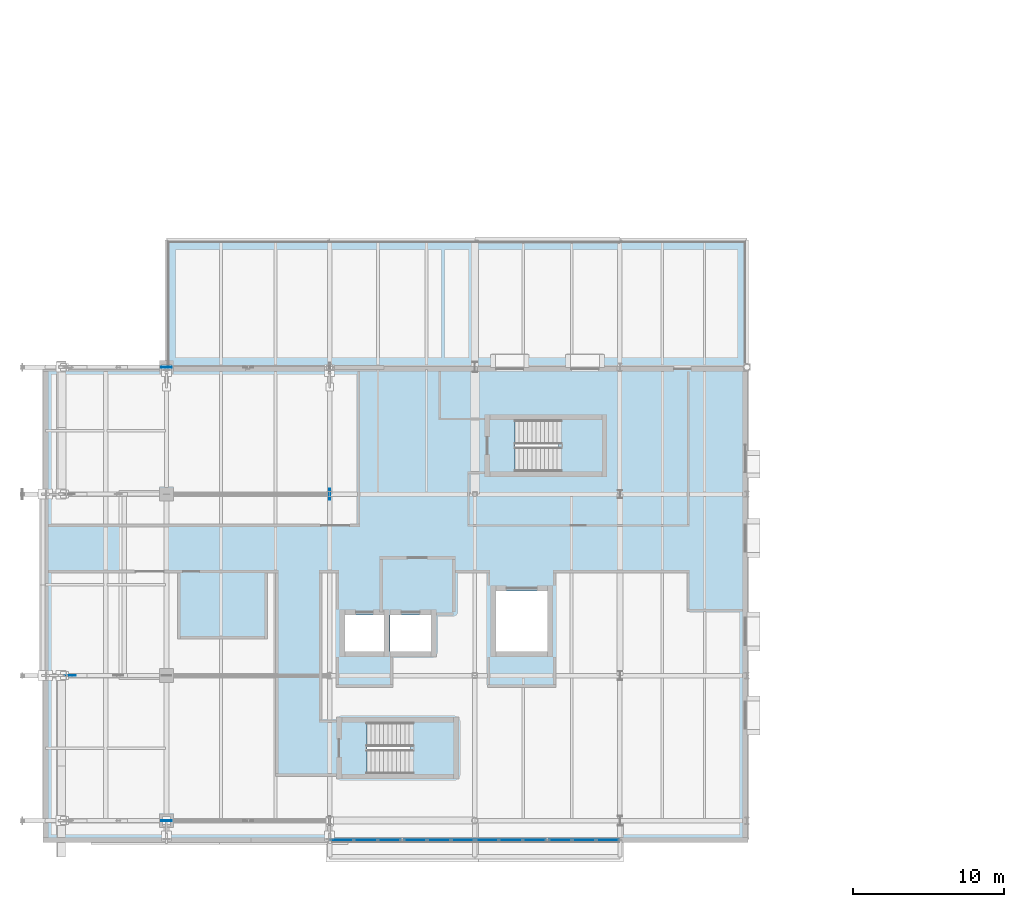
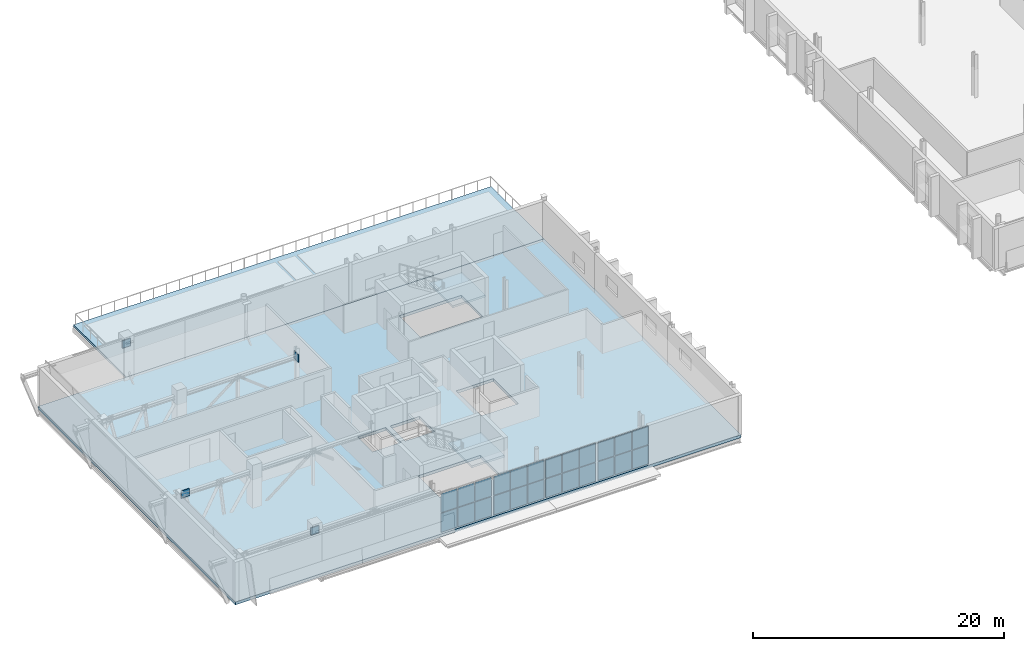
# One storey, part 29 of 57: 28 plates, 4 slabs, 6 elements without a shape of their own.
"""IFC4 building model written with IfcOpenShell, lengths in metres."""

from ifc_helpers import new_model, si_unit, direction, frame, origin, origin_2d, place, context, subcontext, project, spatial, polyline, rectangle, outline, extrude, material, layer, layer_set, type_object, element, aggregate, save


model = new_model("IFC4")

# Units and contexts
model_context = context("Model", 3, precision=1e-05, world=origin(), true_north=direction((0.0, 1.0)))
body_context = subcontext(model_context, "Body", "Model", "MODEL_VIEW")
ifc_project = project(units=[si_unit("LENGTHUNIT", "METRE"), si_unit("AREAUNIT", "SQUARE_METRE"), si_unit("VOLUMEUNIT", "CUBIC_METRE"), si_unit("PLANEANGLEUNIT", "RADIAN"), si_unit("MASSUNIT", "GRAM", prefix="KILO")], contexts=[model_context])

# Site, building, storey
site_placement = place(None, origin())
site = spatial("IfcSite", under=ifc_project, at=site_placement, CompositionType="ELEMENT")
building_placement = place(site_placement, origin())
building = spatial("IfcBuilding", under=site, at=building_placement, Name="Zereglee Splitstone Museum", CompositionType="ELEMENT")
storey_placement = place(building_placement, frame((0.0, 0.0, 17.10009765625)))
storey = spatial("IfcBuildingStorey", under=building, at=storey_placement, Name="L03", CompositionType="ELEMENT", Elevation=17.10009765625)

# Curtain wall, plates
ifc_material_1 = material(Name="Triple-glazed low-E argon glass and bronze-anodised aluminium", Category="aluminium")
ifc_layer_1 = layer(ifc_material_1, 0.219970703125)
ifc_layer_set_1 = layer_set([ifc_layer_1], Name="Triple-glazed low-E argon glass and bronze-anodised aluminium")
curtain_wall_type_1 = type_object("IfcCurtainWallType", Name="CW-0476-390", PredefinedType="USERDEFINED", material=ifc_layer_set_1)
curtain_wall_1_placement = place(storey_placement, origin())
curtain_wall_1 = element("IfcCurtainWall", 1, at=curtain_wall_1_placement, inside=storey, type_object=curtain_wall_type_1, Name="Glazed Curtain Wall CW-0476-390 (L03)", ObjectType="GLAZED CURTAIN WALL", PredefinedType="USERDEFINED")
ifc_material_2 = material(Name="Triple low-e argon insulated safety glass", Category="glass")
ifc_layer_2 = layer(ifc_material_2, 0.035888671875)
ifc_layer_set_2 = layer_set([ifc_layer_2], Name="Triple low-e argon insulated safety glass")
plate_type_1 = type_object("IfcPlateType", Name="CWP-01", PredefinedType="CURTAIN_PANEL", material=ifc_layer_set_2)
plate_1_placement = place(storey_placement, frame((21.212158203125, -1.280029296875, 0.074951171875), z_axis=(0.0, 0.0, 1.0), x_axis=(1.0, 0.0, 0.0)))
plate_1 = element("IfcPlate", 2, at=plate_1_placement, type_object=plate_type_1, Name="CW-0476-390 panel 1.1", PredefinedType="CURTAIN_PANEL", context=body_context, shape_type="SweptSolid", body=[
    extrude(rectangle(XDim=1.47412109375, YDim=0.035888671875, at=origin_2d()), origin(), (0.0, 0.0, 1.0), 1.83740234375),
])
plate_2_placement = place(storey_placement, frame((21.212158203125, -1.280029296875, 1.987548828125), z_axis=(0.0, 0.0, 1.0), x_axis=(1.0, 0.0, 0.0)))
plate_2 = element("IfcPlate", 3, at=plate_2_placement, type_object=plate_type_1, Name="CW-0476-390 panel 1.2", PredefinedType="CURTAIN_PANEL", context=body_context, shape_type="SweptSolid", body=[
    extrude(rectangle(XDim=1.47412109375, YDim=0.035888671875, at=origin_2d()), origin(), (0.0, 0.0, 1.0), 1.83740234375),
])
plate_3_placement = place(storey_placement, frame((22.780029296875, -1.280029296875, 0.074951171875), z_axis=(0.0, 0.0, 1.0), x_axis=(1.0, 0.0, 0.0)))
plate_3 = element("IfcPlate", 4, at=plate_3_placement, type_object=plate_type_1, Name="CW-0476-390 panel 2.1", PredefinedType="CURTAIN_PANEL", context=body_context, shape_type="SweptSolid", body=[
    extrude(rectangle(XDim=1.51171875, YDim=0.035888671875, at=origin_2d()), origin(), (0.0, 0.0, 1.0), 1.83740234375),
])
plate_4_placement = place(storey_placement, frame((22.780029296875, -1.280029296875, 1.987548828125), z_axis=(0.0, 0.0, 1.0), x_axis=(1.0, 0.0, 0.0)))
plate_4 = element("IfcPlate", 5, at=plate_4_placement, type_object=plate_type_1, Name="CW-0476-390 panel 2.2", PredefinedType="CURTAIN_PANEL", context=body_context, shape_type="SweptSolid", body=[
    extrude(rectangle(XDim=1.51171875, YDim=0.035888671875, at=origin_2d()), origin(), (0.0, 0.0, 1.0), 1.83740234375),
])
plate_5_placement = place(storey_placement, frame((24.347900390625, -1.280029296875, 0.074951171875), z_axis=(0.0, 0.0, 1.0), x_axis=(1.0, 0.0, 0.0)))
plate_5 = element("IfcPlate", 6, at=plate_5_placement, type_object=plate_type_1, Name="CW-0476-390 panel 3.1", PredefinedType="CURTAIN_PANEL", context=body_context, shape_type="SweptSolid", body=[
    extrude(rectangle(XDim=1.47412109375, YDim=0.035888671875, at=origin_2d()), origin(), (0.0, 0.0, 1.0), 1.83740234375),
])
plate_6_placement = place(storey_placement, frame((24.347900390625, -1.280029296875, 1.987548828125), z_axis=(0.0, 0.0, 1.0), x_axis=(1.0, 0.0, 0.0)))
plate_6 = element("IfcPlate", 7, at=plate_6_placement, type_object=plate_type_1, Name="CW-0476-390 panel 3.2", PredefinedType="CURTAIN_PANEL", context=body_context, shape_type="SweptSolid", body=[
    extrude(rectangle(XDim=1.47412109375, YDim=0.035888671875, at=origin_2d()), origin(), (0.0, 0.0, 1.0), 1.83740234375),
])
aggregate(curtain_wall_1, [plate_1, plate_2, plate_3, plate_4, plate_5, plate_6])

ifc_layer_3 = layer(ifc_material_1, 0.219970703125)
ifc_layer_set_3 = layer_set([ifc_layer_3], Name="Triple-glazed low-E argon glass and bronze-anodised aluminium")
curtain_wall_type_2 = type_object("IfcCurtainWallType", Name="CW-0476-388", PredefinedType="USERDEFINED", material=ifc_layer_set_3)
curtain_wall_2_placement = place(storey_placement, origin())
curtain_wall_2 = element("IfcCurtainWall", 8, at=curtain_wall_2_placement, inside=storey, type_object=curtain_wall_type_2, Name="Glazed Curtain Wall CW-0476-388 (L03)", ObjectType="GLAZED CURTAIN WALL", PredefinedType="USERDEFINED")
plate_7_placement = place(storey_placement, frame((26.052001953125, -1.280029296875, 0.0751953125), z_axis=(0.0, 0.0, 1.0), x_axis=(1.0, 0.0, 0.0)))
plate_7 = element("IfcPlate", 9, at=plate_7_placement, type_object=plate_type_1, Name="CW-0476-388 panel 1.1", PredefinedType="CURTAIN_PANEL", context=body_context, shape_type="SweptSolid", body=[
    extrude(rectangle(XDim=1.47412109375, YDim=0.035888671875, at=origin_2d()), origin(), (0.0, 0.0, 1.0), 1.827392578125),
])
plate_8_placement = place(storey_placement, frame((26.052001953125, -1.280029296875, 1.9775390625), z_axis=(0.0, 0.0, 1.0), x_axis=(1.0, 0.0, 0.0)))
plate_8 = element("IfcPlate", 10, at=plate_8_placement, type_object=plate_type_1, Name="CW-0476-388 panel 1.2", PredefinedType="CURTAIN_PANEL", context=body_context, shape_type="SweptSolid", body=[
    extrude(rectangle(XDim=1.47412109375, YDim=0.035888671875, at=origin_2d()), origin(), (0.0, 0.0, 1.0), 1.827392578125),
])
plate_9_placement = place(storey_placement, frame((27.6201171875, -1.280029296875, 0.0751953125), z_axis=(0.0, 0.0, 1.0), x_axis=(1.0, 0.0, 0.0)))
plate_9 = element("IfcPlate", 11, at=plate_9_placement, type_object=plate_type_1, Name="CW-0476-388 panel 2.1", PredefinedType="CURTAIN_PANEL", context=body_context, shape_type="SweptSolid", body=[
    extrude(rectangle(XDim=1.51171875, YDim=0.035888671875, at=origin_2d()), origin(), (0.0, 0.0, 1.0), 1.827392578125),
])
plate_10_placement = place(storey_placement, frame((27.6201171875, -1.280029296875, 1.9775390625), z_axis=(0.0, 0.0, 1.0), x_axis=(1.0, 0.0, 0.0)))
plate_10 = element("IfcPlate", 12, at=plate_10_placement, type_object=plate_type_1, Name="CW-0476-388 panel 2.2", PredefinedType="CURTAIN_PANEL", context=body_context, shape_type="SweptSolid", body=[
    extrude(rectangle(XDim=1.51171875, YDim=0.035888671875, at=origin_2d()), origin(), (0.0, 0.0, 1.0), 1.827392578125),
])
plate_11_placement = place(storey_placement, frame((29.18798828125, -1.280029296875, 0.0751953125), z_axis=(0.0, 0.0, 1.0), x_axis=(1.0, 0.0, 0.0)))
plate_11 = element("IfcPlate", 13, at=plate_11_placement, type_object=plate_type_1, Name="CW-0476-388 panel 3.1", PredefinedType="CURTAIN_PANEL", context=body_context, shape_type="SweptSolid", body=[
    extrude(rectangle(XDim=1.47412109375, YDim=0.035888671875, at=origin_2d()), origin(), (0.0, 0.0, 1.0), 1.827392578125),
])
plate_12_placement = place(storey_placement, frame((29.18798828125, -1.280029296875, 1.9775390625), z_axis=(0.0, 0.0, 1.0), x_axis=(1.0, 0.0, 0.0)))
plate_12 = element("IfcPlate", 14, at=plate_12_placement, type_object=plate_type_1, Name="CW-0476-388 panel 3.2", PredefinedType="CURTAIN_PANEL", context=body_context, shape_type="SweptSolid", body=[
    extrude(rectangle(XDim=1.47412109375, YDim=0.035888671875, at=origin_2d()), origin(), (0.0, 0.0, 1.0), 1.827392578125),
])
aggregate(curtain_wall_2, [plate_7, plate_8, plate_9, plate_10, plate_11, plate_12])

ifc_layer_4 = layer(ifc_material_1, 0.219970703125)
ifc_layer_set_4 = layer_set([ifc_layer_4], Name="Triple-glazed low-E argon glass and bronze-anodised aluminium")
curtain_wall_type_3 = type_object("IfcCurtainWallType", Name="CW-0476-384", PredefinedType="USERDEFINED", material=ifc_layer_set_4)
curtain_wall_3_placement = place(storey_placement, origin())
curtain_wall_3 = element("IfcCurtainWall", 15, at=curtain_wall_3_placement, inside=storey, type_object=curtain_wall_type_3, Name="Glazed Curtain Wall CW-0476-384 (L03)", ObjectType="GLAZED CURTAIN WALL", PredefinedType="USERDEFINED")
plate_13_placement = place(storey_placement, frame((30.81201171875, -1.280029296875, 0.074951171875), z_axis=(0.0, 0.0, 1.0), x_axis=(1.0, 0.0, 0.0)))
plate_13 = element("IfcPlate", 16, at=plate_13_placement, type_object=plate_type_1, Name="CW-0476-384 panel 1.1", PredefinedType="CURTAIN_PANEL", context=body_context, shape_type="SweptSolid", body=[
    extrude(rectangle(XDim=1.47412109375, YDim=0.035888671875, at=origin_2d()), origin(), (0.0, 0.0, 1.0), 1.8076171875),
])
plate_14_placement = place(storey_placement, frame((30.81201171875, -1.280029296875, 1.957275390625), z_axis=(0.0, 0.0, 1.0), x_axis=(1.0, 0.0, 0.0)))
plate_14 = element("IfcPlate", 17, at=plate_14_placement, type_object=plate_type_1, Name="CW-0476-384 panel 1.2", PredefinedType="CURTAIN_PANEL", context=body_context, shape_type="SweptSolid", body=[
    extrude(rectangle(XDim=1.47412109375, YDim=0.035888671875, at=origin_2d()), origin(), (0.0, 0.0, 1.0), 1.8076171875),
])
plate_15_placement = place(storey_placement, frame((32.3798828125, -1.280029296875, 0.074951171875), z_axis=(0.0, 0.0, 1.0), x_axis=(1.0, 0.0, 0.0)))
plate_15 = element("IfcPlate", 18, at=plate_15_placement, type_object=plate_type_1, Name="CW-0476-384 panel 2.1", PredefinedType="CURTAIN_PANEL", context=body_context, shape_type="SweptSolid", body=[
    extrude(rectangle(XDim=1.51171875, YDim=0.035888671875, at=origin_2d()), origin(), (0.0, 0.0, 1.0), 1.8076171875),
])
plate_16_placement = place(storey_placement, frame((32.3798828125, -1.280029296875, 1.957275390625), z_axis=(0.0, 0.0, 1.0), x_axis=(1.0, 0.0, 0.0)))
plate_16 = element("IfcPlate", 19, at=plate_16_placement, type_object=plate_type_1, Name="CW-0476-384 panel 2.2", PredefinedType="CURTAIN_PANEL", context=body_context, shape_type="SweptSolid", body=[
    extrude(rectangle(XDim=1.51171875, YDim=0.035888671875, at=origin_2d()), origin(), (0.0, 0.0, 1.0), 1.8076171875),
])
plate_17_placement = place(storey_placement, frame((33.947998046875, -1.280029296875, 0.074951171875), z_axis=(0.0, 0.0, 1.0), x_axis=(1.0, 0.0, 0.0)))
plate_17 = element("IfcPlate", 20, at=plate_17_placement, type_object=plate_type_1, Name="CW-0476-384 panel 3.1", PredefinedType="CURTAIN_PANEL", context=body_context, shape_type="SweptSolid", body=[
    extrude(rectangle(XDim=1.47412109375, YDim=0.035888671875, at=origin_2d()), origin(), (0.0, 0.0, 1.0), 1.8076171875),
])
plate_18_placement = place(storey_placement, frame((33.947998046875, -1.280029296875, 1.957275390625), z_axis=(0.0, 0.0, 1.0), x_axis=(1.0, 0.0, 0.0)))
plate_18 = element("IfcPlate", 21, at=plate_18_placement, type_object=plate_type_1, Name="CW-0476-384 panel 3.2", PredefinedType="CURTAIN_PANEL", context=body_context, shape_type="SweptSolid", body=[
    extrude(rectangle(XDim=1.47412109375, YDim=0.035888671875, at=origin_2d()), origin(), (0.0, 0.0, 1.0), 1.8076171875),
])
aggregate(curtain_wall_3, [plate_13, plate_14, plate_15, plate_16, plate_17, plate_18])

ifc_layer_5 = layer(ifc_material_1, 0.219970703125)
ifc_layer_set_5 = layer_set([ifc_layer_5], Name="Triple-glazed low-E argon glass and bronze-anodised aluminium")
curtain_wall_type_4 = type_object("IfcCurtainWallType", Name="CW-0476-382", PredefinedType="USERDEFINED", material=ifc_layer_set_5)
curtain_wall_4_placement = place(storey_placement, origin())
curtain_wall_4 = element("IfcCurtainWall", 22, at=curtain_wall_4_placement, inside=storey, type_object=curtain_wall_type_4, Name="Glazed Curtain Wall CW-0476-382 (L03)", ObjectType="GLAZED CURTAIN WALL", PredefinedType="USERDEFINED")
plate_19_placement = place(storey_placement, frame((35.652099609375, -1.280029296875, 0.07470703125), z_axis=(0.0, 0.0, 1.0), x_axis=(1.0, 0.0, 0.0)))
plate_19 = element("IfcPlate", 23, at=plate_19_placement, type_object=plate_type_1, Name="CW-0476-382 panel 1.1", PredefinedType="CURTAIN_PANEL", context=body_context, shape_type="SweptSolid", body=[
    extrude(rectangle(XDim=1.47412109375, YDim=0.035888671875, at=origin_2d()), origin(), (0.0, 0.0, 1.0), 1.797607421875),
])
plate_20_placement = place(storey_placement, frame((35.652099609375, -1.280029296875, 1.947265625), z_axis=(0.0, 0.0, 1.0), x_axis=(1.0, 0.0, 0.0)))
plate_20 = element("IfcPlate", 24, at=plate_20_placement, type_object=plate_type_1, Name="CW-0476-382 panel 1.2", PredefinedType="CURTAIN_PANEL", context=body_context, shape_type="SweptSolid", body=[
    extrude(rectangle(XDim=1.47412109375, YDim=0.035888671875, at=origin_2d()), origin(), (0.0, 0.0, 1.0), 1.797607421875),
])
plate_21_placement = place(storey_placement, frame((37.219970703125, -1.280029296875, 0.07470703125), z_axis=(0.0, 0.0, 1.0), x_axis=(1.0, 0.0, 0.0)))
plate_21 = element("IfcPlate", 25, at=plate_21_placement, type_object=plate_type_1, Name="CW-0476-382 panel 2.1", PredefinedType="CURTAIN_PANEL", context=body_context, shape_type="SweptSolid", body=[
    extrude(rectangle(XDim=1.51171875, YDim=0.035888671875, at=origin_2d()), origin(), (0.0, 0.0, 1.0), 1.797607421875),
])
plate_22_placement = place(storey_placement, frame((37.219970703125, -1.280029296875, 1.947265625), z_axis=(0.0, 0.0, 1.0), x_axis=(1.0, 0.0, 0.0)))
plate_22 = element("IfcPlate", 26, at=plate_22_placement, type_object=plate_type_1, Name="CW-0476-382 panel 2.2", PredefinedType="CURTAIN_PANEL", context=body_context, shape_type="SweptSolid", body=[
    extrude(rectangle(XDim=1.51171875, YDim=0.035888671875, at=origin_2d()), origin(), (0.0, 0.0, 1.0), 1.797607421875),
])
plate_23_placement = place(storey_placement, frame((38.787841796875, -1.280029296875, 0.07470703125), z_axis=(0.0, 0.0, 1.0), x_axis=(1.0, 0.0, 0.0)))
plate_23 = element("IfcPlate", 27, at=plate_23_placement, type_object=plate_type_1, Name="CW-0476-382 panel 3.1", PredefinedType="CURTAIN_PANEL", context=body_context, shape_type="SweptSolid", body=[
    extrude(rectangle(XDim=1.47412109375, YDim=0.035888671875, at=origin_2d()), origin(), (0.0, 0.0, 1.0), 1.797607421875),
])
plate_24_placement = place(storey_placement, frame((38.787841796875, -1.280029296875, 1.947265625), z_axis=(0.0, 0.0, 1.0), x_axis=(1.0, 0.0, 0.0)))
plate_24 = element("IfcPlate", 28, at=plate_24_placement, type_object=plate_type_1, Name="CW-0476-382 panel 3.2", PredefinedType="CURTAIN_PANEL", context=body_context, shape_type="SweptSolid", body=[
    extrude(rectangle(XDim=1.47412109375, YDim=0.035888671875, at=origin_2d()), origin(), (0.0, 0.0, 1.0), 1.797607421875),
])
aggregate(curtain_wall_4, [plate_19, plate_20, plate_21, plate_22, plate_23, plate_24])

# Plates
ifc_material_3 = material(Name="Steel S355J2", Category="steel")
ifc_layer_6 = layer(ifc_material_3, 0.06005859375)
ifc_layer_set_6 = layer_set([ifc_layer_6], Name="Steel S355J2")
plate_type_2 = type_object("IfcPlateType", Name="NP-01", PredefinedType="SHEET", material=ifc_layer_set_6)
for number, where, z_axis, x_axis, name in (
    (29, (9.60009765625, 0.0, 2.93994140625), (0.0, 0.0, 1.0), (1.0, 0.0, 0.0), "Cantilever Truss Node Plate CN-01"),
    (30, (3.2333984375, 9.60009765625, 2.93994140625), (0.0, 0.0, 1.0), (1.0, 0.0, 0.0), "Cantilever Truss Node Plate CN-02"),
):
    element("IfcPlate", number, at=place(storey_placement, frame(where, z_axis=z_axis, x_axis=x_axis)), inside=storey, type_object=plate_type_2, Name=name, PredefinedType="SHEET", context=body_context, shape_type="SweptSolid", body=[
        extrude(rectangle(XDim=0.719970703125, YDim=0.06005859375, at=origin_2d()), origin(), (0.0, 0.0, 1.0), 0.719970703125),
    ])
plate_25_placement = place(storey_placement, frame((20.39990234375, 21.60009765625, 2.93994140625), z_axis=(0.0, 0.0, 1.0), x_axis=(1.0, 0.0, 0.0)))
element("IfcPlate", 31, at=plate_25_placement, inside=storey, type_object=plate_type_2, Name="Cantilever Truss Node Plate CN-03", PredefinedType="SHEET", context=body_context, shape_type="SweptSolid", body=[
    extrude(rectangle(XDim=0.06005859375, YDim=0.719970703125, at=origin_2d()), origin(), (0.0, 0.0, 1.0), 0.719970703125),
])
plate_26_placement = place(storey_placement, frame((9.60009765625, 30.0, 2.93994140625), z_axis=(0.0, 0.0, 1.0), x_axis=(1.0, 0.0, 0.0)))
element("IfcPlate", 32, at=plate_26_placement, inside=storey, type_object=plate_type_2, Name="Cantilever Truss Node Plate CN-04", PredefinedType="SHEET", context=body_context, shape_type="SweptSolid", body=[
    extrude(rectangle(XDim=0.719970703125, YDim=0.06005859375, at=origin_2d()), origin(), (0.0, 0.0, 1.0), 0.719970703125),
])

# Slab
ifc_material_4 = material(Name="Concrete C35/45", Category="concrete")
ifc_layer_7 = layer(ifc_material_4, 0.280029296875)
ifc_layer_set_7 = layer_set([ifc_layer_7], Name="Concrete C35/45")
slab_type_1 = type_object("IfcSlabType", Name="FS-04", PredefinedType="FLOOR", material=ifc_layer_set_7)
slab_1_placement = place(storey_placement, frame((0.0, 0.0, -0.280029296875)))
element("IfcSlab", 33, at=slab_1_placement, inside=storey, type_object=slab_type_1, Name="Gallery Floor Slab L03-V1", PredefinedType="FLOOR", context=body_context, shape_type="SweptSolid", body=[
    extrude(outline(polyline([(1.5, -1.39990234375), (48.0, -1.39990234375), (48.0, 30.0), (1.5, 30.0), (1.5, -1.39990234375)]), holes=[polyline([(22.85400390625, 3.10009765625), (28.60009765625, 3.10009765625), (28.60009765625, 6.5), (22.85400390625, 6.5), (22.85400390625, 3.10009765625)]), polyline([(32.654052734375, 23.10009765625), (38.39990234375, 23.10009765625), (38.39990234375, 26.5), (32.654052734375, 26.5), (32.654052734375, 23.10009765625)]), polyline([(21.39990234375, 11.199951171875), (24.0, 11.199951171875), (24.0, 13.60009765625), (21.39990234375, 13.60009765625), (21.39990234375, 11.199951171875)]), polyline([(24.39990234375, 11.199951171875), (27.10009765625, 11.199951171875), (27.10009765625, 13.60009765625), (24.39990234375, 13.60009765625), (24.39990234375, 11.199951171875)]), polyline([(31.39990234375, 11.199951171875), (34.800048828125, 11.199951171875), (34.800048828125, 15.199951171875), (31.39990234375, 15.199951171875), (31.39990234375, 11.199951171875)])]), origin(), (0.0, 0.0, 1.0), 0.280029296875),
])

# Stair, slab
stair_type_1 = type_object("IfcStairType", Name="ST-01B", PredefinedType="HALF_TURN_STAIR", material=ifc_material_4)
stair_1_placement = place(storey_placement, origin())
stair_1 = element("IfcStair", 34, at=stair_1_placement, inside=storey, type_object=stair_type_1, Name="L03 Protected Exit Stair ST-01 B", PredefinedType="HALF_TURN_STAIR")
ifc_layer_8 = layer(ifc_material_4, 0.199951171875)
ifc_layer_set_8 = layer_set([ifc_layer_8], Name="Concrete C35/45")
slab_type_2 = type_object("IfcSlabType", Name="ST-01B", PredefinedType="LANDING", material=ifc_layer_set_8)
slab_2_placement = place(storey_placement, frame((0.0, 0.0, 1.89990234375)))
slab_2 = element("IfcSlab", 35, at=slab_2_placement, type_object=slab_type_2, Name="ST-01B landing 1", PredefinedType="LANDING", context=body_context, shape_type="SweptSolid", body=[
    extrude(outline(polyline([(25.75, 2.9599609375), (28.739990234375, 2.9599609375), (28.739990234375, 6.639892578125), (25.75, 6.639892578125), (25.75, 2.9599609375)])), origin(), (0.0, 0.0, 1.0), 0.199951171875),
])
aggregate(stair_1, [slab_2])

stair_type_2 = type_object("IfcStairType", Name="ST-02B", PredefinedType="HALF_TURN_STAIR", material=ifc_material_4)
stair_2_placement = place(storey_placement, origin())
stair_2 = element("IfcStair", 36, at=stair_2_placement, inside=storey, type_object=stair_type_2, Name="L03 Protected Exit Stair ST-02 B", PredefinedType="HALF_TURN_STAIR")
ifc_layer_9 = layer(ifc_material_4, 0.199951171875)
ifc_layer_set_9 = layer_set([ifc_layer_9], Name="Concrete C35/45")
slab_type_3 = type_object("IfcSlabType", Name="ST-02B", PredefinedType="LANDING", material=ifc_layer_set_9)
slab_3_placement = place(storey_placement, frame((0.0, 0.0, 1.89990234375)))
slab_3 = element("IfcSlab", 37, at=slab_3_placement, type_object=slab_type_3, Name="ST-02B landing 1", PredefinedType="LANDING", context=body_context, shape_type="SweptSolid", body=[
    extrude(outline(polyline([(35.550048828125, 22.9599609375), (38.5400390625, 22.9599609375), (38.5400390625, 26.639892578125), (35.550048828125, 26.639892578125), (35.550048828125, 22.9599609375)])), origin(), (0.0, 0.0, 1.0), 0.199951171875),
])
aggregate(stair_2, [slab_3])

# Slab
ifc_layer_10 = layer(ifc_material_4, 0.2099609375)
ifc_layer_set_10 = layer_set([ifc_layer_10], Name="Concrete C35/45")
slab_type_4 = type_object("IfcSlabType", Name="TS-03", PredefinedType="FLOOR", material=ifc_layer_set_10)
slab_4_placement = place(storey_placement, frame((0.0, 0.0, -0.210205078125)))
element("IfcSlab", 38, at=slab_4_placement, inside=storey, type_object=slab_type_4, Name="Outdoor Terrace Deck TER-L03-V1N", PredefinedType="FLOOR", context=body_context, shape_type="SweptSolid", body=[
    extrude(outline(polyline([(9.60009765625, 30.0), (48.0, 30.0), (48.0, 38.39990234375), (9.60009765625, 38.39990234375), (9.60009765625, 30.0)])), origin(), (0.0, 0.0, 1.0), 0.210205078125),
])

save(model, "model.ifc")
